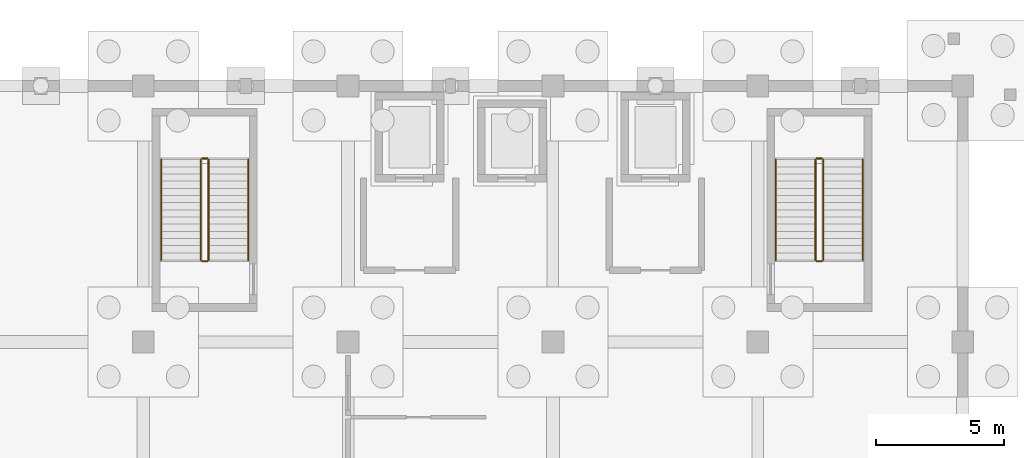
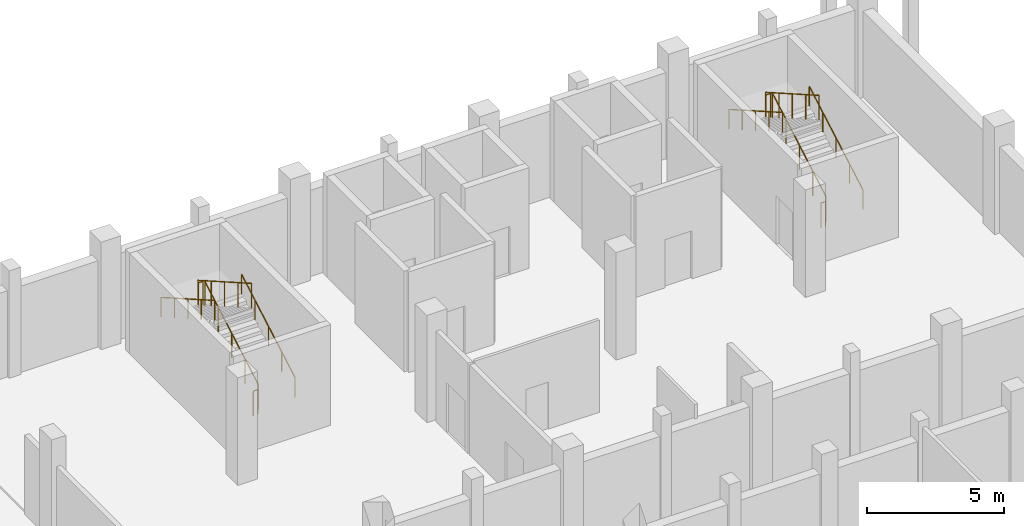
# One storey, part 51 of 52: 12 railings.
"""IFC4 building model written with IfcOpenShell, lengths in metres."""

from ifc_helpers import new_model, si_unit, direction, frame, origin, origin_2d, place, context, subcontext, project, spatial, circle, extrude, material, type_object, element, save


model = new_model("IFC4")

# Units and contexts
model_context = context("Model", 3, precision=1e-05, world=origin(), true_north=direction((0.0, 1.0)))
body_context = subcontext(model_context, "Body", "Model", "MODEL_VIEW")
ifc_project = project(units=[si_unit("LENGTHUNIT", "METRE"), si_unit("AREAUNIT", "SQUARE_METRE"), si_unit("VOLUMEUNIT", "CUBIC_METRE"), si_unit("PLANEANGLEUNIT", "RADIAN"), si_unit("MASSUNIT", "GRAM", prefix="KILO")], contexts=[model_context])

# Site, building, storey
site_placement = place(None, origin())
site = spatial("IfcSite", under=ifc_project, at=site_placement, CompositionType="ELEMENT")
building_placement = place(site_placement, origin())
building = spatial("IfcBuilding", under=site, at=building_placement, Name="Luwemba Playhouse", CompositionType="ELEMENT")
storey_placement = place(building_placement, frame((0.0, 0.0, -4.800048828125)))
storey = spatial("IfcBuildingStorey", under=building, at=storey_placement, Name="B1", CompositionType="ELEMENT", Elevation=-4.800048828125)

# Railings
ifc_material_1 = material(Name="Painted wrought-iron gallery balustrade", Category="steel")
railing_type_1 = type_object("IfcRailingType", Name="RLG-BAL-INT", PredefinedType="BALUSTRADE", material=ifc_material_1)
railing_1_placement = place(storey_placement, frame((142.550048828125, 108.199951171875, 0.16015625)))
element("IfcRailing", 1, at=railing_1_placement, inside=storey, type_object=railing_type_1, Name="B1 ST-09 stair guard 1", PredefinedType="BALUSTRADE", context=body_context, shape_type="SweptSolid", body=[
    extrude(circle(Radius=0.02392578125, at=origin_2d()), frame((0.0, 0.0, 1.09619140625), z_axis=(0.0, 0.86825312469, 0.496121468458), x_axis=(-1.0, 0.0, 0.0)), (0.0, 0.0, 1.0), 4.514892578125),
    extrude(circle(Radius=0.02099609375, at=origin_2d()), origin(), (0.0, 0.0, 1.0), 1.072021484375),
    extrude(circle(Radius=0.02099609375, at=origin_2d()), frame((0.0, 0.97998046875, 0.56005859375)), (0.0, 0.0, 1.0), 1.072021484375),
    extrude(circle(Radius=0.02099609375, at=origin_2d()), frame((0.0, 1.9599609375, 1.1201171875)), (0.0, 0.0, 1.0), 1.072021484375),
    extrude(circle(Radius=0.02099609375, at=origin_2d()), frame((0.0, 2.940185546875, 1.679931640625)), (0.0, 0.0, 1.0), 1.072021484375),
    extrude(circle(Radius=0.02099609375, at=origin_2d()), frame((0.0, 3.920166015625, 2.239990234375)), (0.0, 0.0, 1.0), 1.072021484375),
])
railing_2_placement = place(storey_placement, frame((142.5, 112.169921875, 2.400146484375)))
element("IfcRailing", 2, at=railing_2_placement, inside=storey, type_object=railing_type_1, Name="B1 ST-09 stair guard 2", PredefinedType="BALUSTRADE", context=body_context, shape_type="SweptSolid", body=[
    extrude(circle(Radius=0.02392578125, at=origin_2d()), frame((0.0, 0.0, 1.09619140625), z_axis=(-1.0, 0.0, 0.0), x_axis=(0.0, -1.0, 0.0)), (0.0, 0.0, 1.0), 0.199951171875),
    extrude(circle(Radius=0.02099609375, at=origin_2d()), origin(), (0.0, 0.0, 1.0), 1.072021484375),
    extrude(circle(Radius=0.02099609375, at=origin_2d()), frame((-0.199951171875, 0.0, 0.0)), (0.0, 0.0, 1.0), 1.072021484375),
])
railing_3_placement = place(storey_placement, frame((142.25, 112.1201171875, 2.56005859375)))
element("IfcRailing", 3, at=railing_3_placement, inside=storey, type_object=railing_type_1, Name="B1 ST-09 stair guard 3", PredefinedType="BALUSTRADE", context=body_context, shape_type="SweptSolid", body=[
    extrude(circle(Radius=0.02392578125, at=origin_2d()), frame((0.0, 0.0, 1.09619140625), z_axis=(0.0, -0.86825312469, 0.496121468458), x_axis=(1.0, 0.0, 0.0)), (0.0, 0.0, 1.0), 4.514892578125),
    extrude(circle(Radius=0.02099609375, at=origin_2d()), origin(), (0.0, 0.0, 1.0), 1.072021484375),
    extrude(circle(Radius=0.02099609375, at=origin_2d()), frame((0.0, -0.97998046875, 0.56005859375)), (0.0, 0.0, 1.0), 1.072021484375),
    extrude(circle(Radius=0.02099609375, at=origin_2d()), frame((0.0, -1.9599609375, 1.1201171875)), (0.0, 0.0, 1.0), 1.072021484375),
    extrude(circle(Radius=0.02099609375, at=origin_2d()), frame((0.0, -2.940185546875, 1.679931640625)), (0.0, 0.0, 1.0), 1.072021484375),
    extrude(circle(Radius=0.02099609375, at=origin_2d()), frame((0.0, -3.920166015625, 2.239990234375)), (0.0, 0.0, 1.0), 1.072021484375),
])
railing_4_placement = place(storey_placement, frame((142.5, 108.14990234375, 0.0)))
element("IfcRailing", 4, at=railing_4_placement, inside=storey, type_object=railing_type_1, Name="B1 ST-09 stair guard 4", PredefinedType="BALUSTRADE", context=body_context, shape_type="SweptSolid", body=[
    extrude(circle(Radius=0.02392578125, at=origin_2d()), frame((0.0, 0.0, 1.09619140625), z_axis=(-1.0, 0.0, 0.0), x_axis=(0.0, -1.0, 0.0)), (0.0, 0.0, 1.0), 0.199951171875),
    extrude(circle(Radius=0.02099609375, at=origin_2d()), origin(), (0.0, 0.0, 1.0), 1.072021484375),
    extrude(circle(Radius=0.02099609375, at=origin_2d()), frame((-0.199951171875, 0.0, 0.0)), (0.0, 0.0, 1.0), 1.072021484375),
])
railing_5_placement = place(storey_placement, frame((166.550048828125, 108.199951171875, 0.16015625)))
element("IfcRailing", 5, at=railing_5_placement, inside=storey, type_object=railing_type_1, Name="B1 ST-10 stair guard 1", PredefinedType="BALUSTRADE", context=body_context, shape_type="SweptSolid", body=[
    extrude(circle(Radius=0.02392578125, at=origin_2d()), frame((0.0, 0.0, 1.09619140625), z_axis=(0.0, 0.86825312469, 0.496121468458), x_axis=(-1.0, 0.0, 0.0)), (0.0, 0.0, 1.0), 4.514892578125),
    extrude(circle(Radius=0.02099609375, at=origin_2d()), origin(), (0.0, 0.0, 1.0), 1.072021484375),
    extrude(circle(Radius=0.02099609375, at=origin_2d()), frame((0.0, 0.97998046875, 0.56005859375)), (0.0, 0.0, 1.0), 1.072021484375),
    extrude(circle(Radius=0.02099609375, at=origin_2d()), frame((0.0, 1.9599609375, 1.1201171875)), (0.0, 0.0, 1.0), 1.072021484375),
    extrude(circle(Radius=0.02099609375, at=origin_2d()), frame((0.0, 2.940185546875, 1.679931640625)), (0.0, 0.0, 1.0), 1.072021484375),
    extrude(circle(Radius=0.02099609375, at=origin_2d()), frame((0.0, 3.920166015625, 2.239990234375)), (0.0, 0.0, 1.0), 1.072021484375),
])
railing_6_placement = place(storey_placement, frame((166.5, 112.169921875, 2.400146484375)))
element("IfcRailing", 6, at=railing_6_placement, inside=storey, type_object=railing_type_1, Name="B1 ST-10 stair guard 2", PredefinedType="BALUSTRADE", context=body_context, shape_type="SweptSolid", body=[
    extrude(circle(Radius=0.02392578125, at=origin_2d()), frame((0.0, 0.0, 1.09619140625), z_axis=(-1.0, 0.0, 0.0), x_axis=(0.0, -1.0, 0.0)), (0.0, 0.0, 1.0), 0.199951171875),
    extrude(circle(Radius=0.02099609375, at=origin_2d()), origin(), (0.0, 0.0, 1.0), 1.072021484375),
    extrude(circle(Radius=0.02099609375, at=origin_2d()), frame((-0.199951171875, 0.0, 0.0)), (0.0, 0.0, 1.0), 1.072021484375),
])
railing_7_placement = place(storey_placement, frame((166.25, 112.1201171875, 2.56005859375)))
element("IfcRailing", 7, at=railing_7_placement, inside=storey, type_object=railing_type_1, Name="B1 ST-10 stair guard 3", PredefinedType="BALUSTRADE", context=body_context, shape_type="SweptSolid", body=[
    extrude(circle(Radius=0.02392578125, at=origin_2d()), frame((0.0, 0.0, 1.09619140625), z_axis=(0.0, -0.86825312469, 0.496121468458), x_axis=(1.0, 0.0, 0.0)), (0.0, 0.0, 1.0), 4.514892578125),
    extrude(circle(Radius=0.02099609375, at=origin_2d()), origin(), (0.0, 0.0, 1.0), 1.072021484375),
    extrude(circle(Radius=0.02099609375, at=origin_2d()), frame((0.0, -0.97998046875, 0.56005859375)), (0.0, 0.0, 1.0), 1.072021484375),
    extrude(circle(Radius=0.02099609375, at=origin_2d()), frame((0.0, -1.9599609375, 1.1201171875)), (0.0, 0.0, 1.0), 1.072021484375),
    extrude(circle(Radius=0.02099609375, at=origin_2d()), frame((0.0, -2.940185546875, 1.679931640625)), (0.0, 0.0, 1.0), 1.072021484375),
    extrude(circle(Radius=0.02099609375, at=origin_2d()), frame((0.0, -3.920166015625, 2.239990234375)), (0.0, 0.0, 1.0), 1.072021484375),
])
railing_8_placement = place(storey_placement, frame((166.5, 108.14990234375, 0.0)))
element("IfcRailing", 8, at=railing_8_placement, inside=storey, type_object=railing_type_1, Name="B1 ST-10 stair guard 4", PredefinedType="BALUSTRADE", context=body_context, shape_type="SweptSolid", body=[
    extrude(circle(Radius=0.02392578125, at=origin_2d()), frame((0.0, 0.0, 1.09619140625), z_axis=(-1.0, 0.0, 0.0), x_axis=(0.0, -1.0, 0.0)), (0.0, 0.0, 1.0), 0.199951171875),
    extrude(circle(Radius=0.02099609375, at=origin_2d()), origin(), (0.0, 0.0, 1.0), 1.072021484375),
    extrude(circle(Radius=0.02099609375, at=origin_2d()), frame((-0.199951171875, 0.0, 0.0)), (0.0, 0.0, 1.0), 1.072021484375),
])
ifc_material_2 = material(Name="Hardwood and bronze handrail", Category="wood")
railing_type_2 = type_object("IfcRailingType", Name="RLG-HR-INT", PredefinedType="HANDRAIL", material=ifc_material_2)
railing_9_placement = place(storey_placement, frame((144.10009765625, 108.199951171875, 0.16015625)))
element("IfcRailing", 9, at=railing_9_placement, inside=storey, type_object=railing_type_2, Name="B1 ST-09 stair handrail 1", PredefinedType="HANDRAIL", context=body_context, shape_type="SweptSolid", body=[
    extrude(circle(Radius=0.02392578125, at=origin_2d()), frame((0.0, 0.0, 0.8759765625), z_axis=(0.0, 0.86825312469, 0.496121468458), x_axis=(-1.0, 0.0, 0.0)), (0.0, 0.0, 1.0), 4.514892578125),
    extrude(circle(Radius=0.02099609375, at=origin_2d()), origin(), (0.0, 0.0, 1.0), 0.851806640625),
    extrude(circle(Radius=0.02099609375, at=origin_2d()), frame((0.0, 0.97998046875, 0.56005859375)), (0.0, 0.0, 1.0), 0.851806640625),
    extrude(circle(Radius=0.02099609375, at=origin_2d()), frame((0.0, 1.9599609375, 1.1201171875)), (0.0, 0.0, 1.0), 0.851806640625),
    extrude(circle(Radius=0.02099609375, at=origin_2d()), frame((0.0, 2.940185546875, 1.679931640625)), (0.0, 0.0, 1.0), 0.851806640625),
    extrude(circle(Radius=0.02099609375, at=origin_2d()), frame((0.0, 3.920166015625, 2.239990234375)), (0.0, 0.0, 1.0), 0.851806640625),
])
railing_10_placement = place(storey_placement, frame((140.699951171875, 112.1201171875, 2.56005859375)))
element("IfcRailing", 10, at=railing_10_placement, inside=storey, type_object=railing_type_2, Name="B1 ST-09 stair handrail 2", PredefinedType="HANDRAIL", context=body_context, shape_type="SweptSolid", body=[
    extrude(circle(Radius=0.02392578125, at=origin_2d()), frame((0.0, 0.0, 0.8759765625), z_axis=(0.0, -0.86825312469, 0.496121468458), x_axis=(1.0, 0.0, 0.0)), (0.0, 0.0, 1.0), 4.514892578125),
    extrude(circle(Radius=0.02099609375, at=origin_2d()), origin(), (0.0, 0.0, 1.0), 0.851806640625),
    extrude(circle(Radius=0.02099609375, at=origin_2d()), frame((0.0, -0.97998046875, 0.56005859375)), (0.0, 0.0, 1.0), 0.851806640625),
    extrude(circle(Radius=0.02099609375, at=origin_2d()), frame((0.0, -1.9599609375, 1.1201171875)), (0.0, 0.0, 1.0), 0.851806640625),
    extrude(circle(Radius=0.02099609375, at=origin_2d()), frame((0.0, -2.940185546875, 1.679931640625)), (0.0, 0.0, 1.0), 0.851806640625),
    extrude(circle(Radius=0.02099609375, at=origin_2d()), frame((0.0, -3.920166015625, 2.239990234375)), (0.0, 0.0, 1.0), 0.851806640625),
])
railing_11_placement = place(storey_placement, frame((168.10009765625, 108.199951171875, 0.16015625)))
element("IfcRailing", 11, at=railing_11_placement, inside=storey, type_object=railing_type_2, Name="B1 ST-10 stair handrail 1", PredefinedType="HANDRAIL", context=body_context, shape_type="SweptSolid", body=[
    extrude(circle(Radius=0.02392578125, at=origin_2d()), frame((0.0, 0.0, 0.8759765625), z_axis=(0.0, 0.86825312469, 0.496121468458), x_axis=(-1.0, 0.0, 0.0)), (0.0, 0.0, 1.0), 4.514892578125),
    extrude(circle(Radius=0.02099609375, at=origin_2d()), origin(), (0.0, 0.0, 1.0), 0.851806640625),
    extrude(circle(Radius=0.02099609375, at=origin_2d()), frame((0.0, 0.97998046875, 0.56005859375)), (0.0, 0.0, 1.0), 0.851806640625),
    extrude(circle(Radius=0.02099609375, at=origin_2d()), frame((0.0, 1.9599609375, 1.1201171875)), (0.0, 0.0, 1.0), 0.851806640625),
    extrude(circle(Radius=0.02099609375, at=origin_2d()), frame((0.0, 2.940185546875, 1.679931640625)), (0.0, 0.0, 1.0), 0.851806640625),
    extrude(circle(Radius=0.02099609375, at=origin_2d()), frame((0.0, 3.920166015625, 2.239990234375)), (0.0, 0.0, 1.0), 0.851806640625),
])
railing_12_placement = place(storey_placement, frame((164.699951171875, 112.1201171875, 2.56005859375)))
element("IfcRailing", 12, at=railing_12_placement, inside=storey, type_object=railing_type_2, Name="B1 ST-10 stair handrail 2", PredefinedType="HANDRAIL", context=body_context, shape_type="SweptSolid", body=[
    extrude(circle(Radius=0.02392578125, at=origin_2d()), frame((0.0, 0.0, 0.8759765625), z_axis=(0.0, -0.86825312469, 0.496121468458), x_axis=(1.0, 0.0, 0.0)), (0.0, 0.0, 1.0), 4.514892578125),
    extrude(circle(Radius=0.02099609375, at=origin_2d()), origin(), (0.0, 0.0, 1.0), 0.851806640625),
    extrude(circle(Radius=0.02099609375, at=origin_2d()), frame((0.0, -0.97998046875, 0.56005859375)), (0.0, 0.0, 1.0), 0.851806640625),
    extrude(circle(Radius=0.02099609375, at=origin_2d()), frame((0.0, -1.9599609375, 1.1201171875)), (0.0, 0.0, 1.0), 0.851806640625),
    extrude(circle(Radius=0.02099609375, at=origin_2d()), frame((0.0, -2.940185546875, 1.679931640625)), (0.0, 0.0, 1.0), 0.851806640625),
    extrude(circle(Radius=0.02099609375, at=origin_2d()), frame((0.0, -3.920166015625, 2.239990234375)), (0.0, 0.0, 1.0), 0.851806640625),
])

save(model, "model.ifc")
